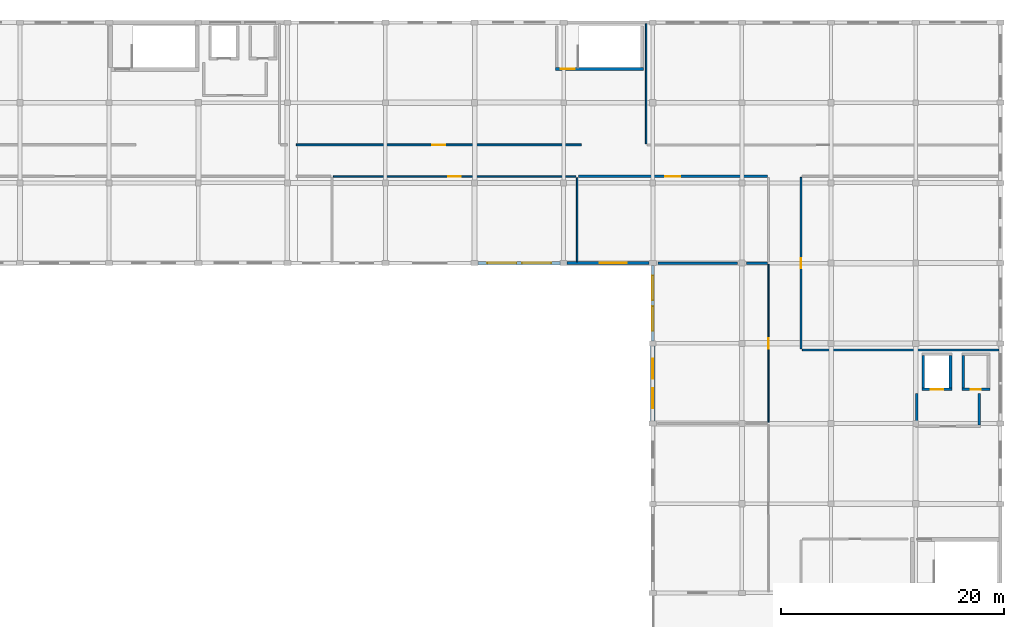
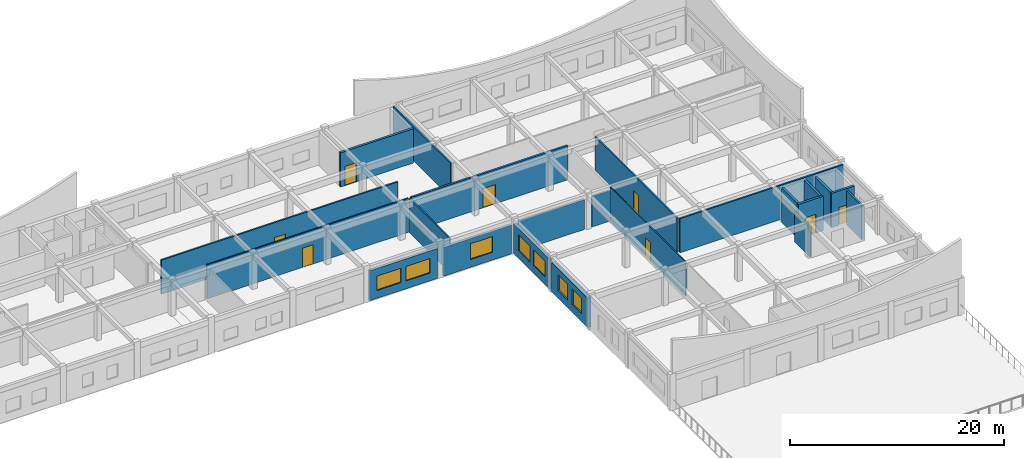
# One storey, part 6 of 10: 22 walls, 8 doors, 7 windows, 15 openings.
"""IFC4 building model written with IfcOpenShell, lengths in metres."""

import ifcopenshell
import ifcopenshell.guid

model = None  # the IFC model being written
_history = None  # IfcOwnerHistory: only IFC2X3 demands one
_inside = {}  # id of a spatial element -> (the spatial element, [elements in it])
_under = {}  # id of a project, library or spatial element -> (it, [spatial elements below it])
_declared = {}  # id of a project -> (the project, [libraries it declares])
_typed = {}  # id of a type object -> (the type object, [elements of that type])
_made_of = {}  # id of a material, layer set ... -> (it, [elements and type objects made of it])


def new_model(schema):
    """Start an empty IFC model of exactly this schema.

    Asked for "IFC4X3", IfcOpenShell would pick the latest addendum, in which some entities
    have other attributes; the version numbers below select the first issue.
    IFC2X3 requires an IfcOwnerHistory on every rooted entity: one is made here for all.
    """
    global model, _history
    if schema == "IFC4X3":
        model = ifcopenshell.file(schema_version=(4, 3, 0, 0))
    else:
        model = ifcopenshell.file(schema=schema)
    _inside.clear()
    _under.clear()
    _declared.clear()
    _typed.clear()
    _made_of.clear()
    _history = None
    if model.schema == "IFC2X3":
        org = make("IfcOrganization", Name="unknown")
        user = make(
            "IfcPersonAndOrganization",
            ThePerson=make("IfcPerson", FamilyName="unknown"),
            TheOrganization=org,
        )
        app = make(
            "IfcApplication",
            ApplicationDeveloper=org,
            Version="unknown",
            ApplicationFullName="unknown",
            ApplicationIdentifier="unknown",
        )
        _history = make(
            "IfcOwnerHistory",
            OwningUser=user,
            OwningApplication=app,
            ChangeAction="ADDED",
            CreationDate=0,
        )
    return model


def make(cls, **values):
    """One entity of the class cls with the attributes given. An attribute that is None is left unset."""
    return model.create_entity(
        cls, **{name: value for name, value in values.items() if value is not None}
    )


def rooted(cls, **values):
    """An entity with a GlobalId (a new one), such as an element, a storey or a relation."""
    return make(cls, GlobalId=ifcopenshell.guid.new(), OwnerHistory=_history, **values)


def si_unit(unit_type, name, prefix=None):
    """IfcSIUnit, for example si_unit("LENGTHUNIT", "METRE", prefix="MILLI")."""
    return make("IfcSIUnit", UnitType=unit_type, Prefix=prefix, Name=name)


def assignment(units):
    """IfcUnitAssignment: the units of a project."""
    return None if units is None else make("IfcUnitAssignment", Units=units)


def point(xyz):
    """IfcCartesianPoint."""
    return None if xyz is None else make("IfcCartesianPoint", Coordinates=xyz)


def direction(xyz):
    """IfcDirection."""
    return None if xyz is None else make("IfcDirection", DirectionRatios=xyz)


def frame(location, z_axis=None, x_axis=None):
    """IfcAxis2Placement3D, a coordinate frame: its origin and axes. An axis left out is left unset."""
    return make(
        "IfcAxis2Placement3D",
        Location=point(location),
        Axis=direction(z_axis),
        RefDirection=direction(x_axis),
    )


def frame_2d(location, x_axis=None):
    """IfcAxis2Placement2D, a coordinate frame in the plane: its origin and x axis."""
    return make(
        "IfcAxis2Placement2D", Location=point(location), RefDirection=direction(x_axis)
    )


def origin():
    """The frame at (0, 0, 0) with its axes left unset."""
    return frame((0.0, 0.0, 0.0))


def place(relative_to, where):
    """IfcLocalPlacement: puts the frame where relative to a parent placement (None: the world)."""
    return make(
        "IfcLocalPlacement", PlacementRelTo=relative_to, RelativePlacement=where
    )


def context(
    kind, dimensions, precision=None, world=None, true_north=None, identifier=None
):
    """IfcGeometricRepresentationContext, for example the 3D "Model" context."""
    return make(
        "IfcGeometricRepresentationContext",
        ContextIdentifier=identifier,
        ContextType=kind,
        CoordinateSpaceDimension=dimensions,
        Precision=precision,
        WorldCoordinateSystem=world,
        TrueNorth=true_north,
    )


def subcontext(parent, identifier, kind, view, scale=None):
    """IfcGeometricRepresentationSubContext, for example "Body" below "Model"."""
    return make(
        "IfcGeometricRepresentationSubContext",
        ContextIdentifier=identifier,
        ContextType=kind,
        ParentContext=parent,
        TargetScale=scale,
        TargetView=view,
    )


def project(units=None, contexts=None):
    """IfcProject with its units and contexts."""
    return rooted(
        "IfcProject",
        Name="project",
        RepresentationContexts=contexts,
        UnitsInContext=assignment(units),
    )


def spatial(cls, under=None, at=None, **own):
    """A site, building, storey or space (cls), placed at a placement, below another one or the project."""
    s = rooted(cls, ObjectPlacement=at, **own)
    if under is not None:
        _under.setdefault(under.id(), (under, []))[1].append(s)
    return s


def profile(cls, at=None, kind="AREA", **sizes):
    """A parametric profile (cls). Its sizes go by their IFC names, for example OverallWidth=200.0."""
    return make(cls, ProfileType=kind, Position=at, **sizes)


def rectangle(**sizes):
    """IfcRectangleProfileDef."""
    return profile("IfcRectangleProfileDef", **sizes)


def extrude(swept, where, along, depth):
    """IfcExtrudedAreaSolid: the profile swept, set in the frame where, extruded along a direction by depth."""
    return make(
        "IfcExtrudedAreaSolid",
        SweptArea=swept,
        Position=where,
        ExtrudedDirection=direction(along),
        Depth=depth,
    )


def shape(context_of_items, identifier, shape_type, items):
    """IfcShapeRepresentation: the items that make up one representation, for example the "Body"."""
    return make(
        "IfcShapeRepresentation",
        ContextOfItems=context_of_items,
        RepresentationIdentifier=identifier,
        RepresentationType=shape_type,
        Items=items,
    )


def material(Name=None, Category=None):
    """IfcMaterial."""
    return make("IfcMaterial", Name=Name, Category=Category)


def layer(
    of_material, thickness, ventilated=None, Name=None, Category=None, Priority=None
):
    """IfcMaterialLayer: one layer of a wall or slab, of a material (None: an air gap)."""
    return make(
        "IfcMaterialLayer",
        Material=of_material,
        LayerThickness=thickness,
        IsVentilated=ventilated,
        Name=Name,
        Category=Category,
        Priority=Priority,
    )


def layer_set(layers, Name=None):
    """IfcMaterialLayerSet."""
    return make("IfcMaterialLayerSet", MaterialLayers=layers, LayerSetName=Name)


def made_of(thing, what):
    """Note that an element or type object is made of a material, layer set ...; save() writes the relation."""
    if what is not None:
        _made_of.setdefault(what.id(), (what, []))[1].append(thing)
    return thing


def type_object(cls, material=None, **own):
    """A type object (cls), such as IfcWallType, which elements share."""
    return made_of(rooted(cls, **own), material)


def element(
    cls,
    number,
    at=None,
    inside=None,
    cuts=None,
    type_object=None,
    material=None,
    context=None,
    identifier="Body",
    shape_type=None,
    held_by="IfcProductDefinitionShape",
    body=None,
    shapes=None,
    **own,
):
    """One element of the class cls, such as IfcWall. Its Tag is "e" and its number.

    at: its placement. inside: the storey or other place that contains it. cuts: it is an
    opening in that element (IfcRelVoidsElement). A single representation is given by context,
    identifier, shape_type and body (its items); several are given by shapes. held_by: the class
    of the entity that holds the representations. save() writes the other relations.
    """
    e = rooted(cls, Tag="e%d" % number, ObjectPlacement=at, **own)
    if body is not None:
        shapes = [shape(context, identifier, shape_type, body)]
    if shapes is not None:
        e.Representation = make(held_by, Representations=shapes)
    if inside is not None:
        _inside.setdefault(inside.id(), (inside, []))[1].append(e)
    if cuts is not None:
        rooted(
            "IfcRelVoidsElement", RelatingBuildingElement=cuts, RelatedOpeningElement=e
        )
    if type_object is not None:
        _typed.setdefault(type_object.id(), (type_object, []))[1].append(e)
    return made_of(e, material)


def fill(opening, filler):
    """IfcRelFillsElement: the door or window that sits in an opening."""
    return rooted(
        "IfcRelFillsElement",
        RelatingOpeningElement=opening,
        RelatedBuildingElement=filler,
    )


def aggregate(whole, parts):
    """IfcRelAggregates: a whole, such as a stair, and the parts it consists of."""
    return rooted("IfcRelAggregates", RelatingObject=whole, RelatedObjects=parts)


def save(model, path):
    """Write the relations noted so far, then the file.

    IfcRelAggregates (storeys below a building ...), IfcRelContainedInSpatialStructure (elements
    in a storey), IfcRelDefinesByType, IfcRelAssociatesMaterial and IfcRelDeclares: one each for
    every whole, place, type object, material and project.
    """
    for whole, parts in _under.values():
        aggregate(whole, parts)
    for where, things in _inside.values():
        rooted(
            "IfcRelContainedInSpatialStructure",
            RelatedElements=things,
            RelatingStructure=where,
        )
    for kind, things in _typed.values():
        rooted("IfcRelDefinesByType", RelatedObjects=things, RelatingType=kind)
    for what, things in _made_of.values():
        rooted("IfcRelAssociatesMaterial", RelatedObjects=things, RelatingMaterial=what)
    for by, libraries in _declared.values():
        rooted("IfcRelDeclares", RelatingContext=by, RelatedDefinitions=libraries)
    model.write(path)


model = new_model("IFC4")

# Units and contexts
model_context = context("Model", 3, precision=1e-05, world=origin(), true_north=direction((0.0, 1.0)))
body_context = subcontext(model_context, "Body", "Model", "MODEL_VIEW")
ifc_project = project(units=[si_unit("LENGTHUNIT", "METRE"), si_unit("AREAUNIT", "SQUARE_METRE"), si_unit("VOLUMEUNIT", "CUBIC_METRE"), si_unit("PLANEANGLEUNIT", "RADIAN"), si_unit("MASSUNIT", "GRAM", prefix="KILO")], contexts=[model_context])

# Site, building, storey
site_placement = place(None, origin())
site = spatial("IfcSite", under=ifc_project, at=site_placement, CompositionType="ELEMENT")
building_placement = place(site_placement, origin())
building = spatial("IfcBuilding", under=site, at=building_placement, Name="Kharva Crest Polytechnic", CompositionType="ELEMENT")
storey_placement = place(building_placement, frame((0.0, 0.0, 25.800048828125)))
storey = spatial("IfcBuildingStorey", under=building, at=storey_placement, Name="L06", CompositionType="ELEMENT", Elevation=25.800048828125)

# Wall, openings, windows
ifc_material_1 = material(Name="Kiln brick masonry", Category="masonry")
ifc_layer_1 = layer(ifc_material_1, 0.260009765625, Name="Kiln brick masonry")
ifc_layer_set_1 = layer_set([ifc_layer_1], Name="Kiln brick masonry")
wall_type_1 = type_object("IfcWallType", Name="WL-EXT-BRK-260", PredefinedType="SOLIDWALL", material=ifc_layer_set_1)
wall_1_placement = place(storey_placement, frame((152.800048828125, 100.179931640625, 0.0), z_axis=(0.0, 0.0, 1.0), x_axis=(0.0, -1.0, 0.0)))
wall_1 = element("IfcWall", 1, at=wall_1_placement, inside=storey, type_object=wall_type_1, Name="L06 Exterior Brick Wall 498", PredefinedType="SOLIDWALL", context=body_context, shape_type="SweptSolid", body=[
    extrude(rectangle(XDim=6.760009765625, YDim=0.260009765625, at=frame_2d((3.3798828125, 0.0))), origin(), (0.0, 0.0, 1.0), 3.454833984375),
])
opening_1_placement = place(wall_1_placement, frame((0.89306640625, 0.0, 0.89990234375)))
opening_1 = element("IfcOpeningElement", 2, at=opening_1_placement, cuts=wall_1, Name="Opening W03", PredefinedType="OPENING", context=body_context, shape_type="SweptSolid", body=[
    extrude(rectangle(XDim=2.199951171875, YDim=1.800048828125, at=frame_2d((1.10009765625, 0.89990234375))), frame((0.0, 0.139892578125, 0.0), z_axis=(0.0, -1.0, 0.0), x_axis=(1.0, 0.0, 0.0)), (0.0, 0.0, 1.0), 0.280029296875),
])
opening_2_placement = place(wall_1_placement, frame((3.6669921875, 0.0, 0.89990234375)))
opening_2 = element("IfcOpeningElement", 3, at=opening_2_placement, cuts=wall_1, Name="Opening W03", PredefinedType="OPENING", context=body_context, shape_type="SweptSolid", body=[
    extrude(rectangle(XDim=2.199951171875, YDim=1.800048828125, at=frame_2d((1.10009765625, 0.89990234375))), frame((0.0, 0.139892578125, 0.0), z_axis=(0.0, -1.0, 0.0), x_axis=(1.0, 0.0, 0.0)), (0.0, 0.0, 1.0), 0.280029296875),
])
ifc_material_2 = material(Name="Anodised aluminium", Category="aluminium")
window_type_1 = type_object("IfcWindowType", Name="WIN-ALU-2200X1800", PartitioningType="SINGLE_PANEL", PredefinedType="WINDOW", material=ifc_material_2)
window_1_placement = place(opening_1_placement, origin())
window_1 = element("IfcWindow", 4, at=window_1_placement, inside=storey, type_object=window_type_1, Name="L06 Exterior Window 716", OverallHeight=1.800048828125, OverallWidth=2.199951171875, PartitioningType="SINGLE_PANEL", PredefinedType="WINDOW", context=body_context, shape_type="SweptSolid", body=[
    extrude(rectangle(XDim=2.199951171875, YDim=1.800048828125, at=frame_2d((1.10009765625, 0.89990234375))), frame((0.0, 0.030029296875, 0.0), z_axis=(0.0, -1.0, 0.0), x_axis=(1.0, 0.0, 0.0)), (0.0, 0.0, 1.0), 0.06005859375),
])
fill(opening_1, window_1)
window_2_placement = place(opening_2_placement, origin())
window_2 = element("IfcWindow", 5, at=window_2_placement, inside=storey, type_object=window_type_1, Name="L06 Exterior Window 717", OverallHeight=1.800048828125, OverallWidth=2.199951171875, PartitioningType="SINGLE_PANEL", PredefinedType="WINDOW", context=body_context, shape_type="SweptSolid", body=[
    extrude(rectangle(XDim=2.199951171875, YDim=1.800048828125, at=frame_2d((1.10009765625, 0.89990234375))), frame((0.0, 0.030029296875, 0.0), z_axis=(0.0, -1.0, 0.0), x_axis=(1.0, 0.0, 0.0)), (0.0, 0.0, 1.0), 0.06005859375),
])
fill(opening_2, window_2)

# Wall, opening, window
ifc_layer_2 = layer(ifc_material_1, 0.27490234375, Name="Kiln brick masonry")
ifc_layer_set_2 = layer_set([ifc_layer_2], Name="Kiln brick masonry")
wall_type_2 = type_object("IfcWallType", Name="WL-EXT-BRK-275", PredefinedType="SOLIDWALL", material=ifc_layer_set_2)
wall_2_placement = place(storey_placement, frame((145.10498046875, 100.39990234375, 0.0), z_axis=(0.0, 0.0, 1.0), x_axis=(1.0, 0.0, 0.0)))
wall_2 = element("IfcWall", 6, at=wall_2_placement, inside=storey, type_object=wall_type_2, Name="L06 Exterior Brick Wall 497", PredefinedType="SOLIDWALL", context=body_context, shape_type="SweptSolid", body=[
    extrude(rectangle(XDim=7.375, YDim=0.27490234375, at=frame_2d((3.6875, 0.0))), origin(), (0.0, 0.0, 1.0), 3.294921875),
])
opening_3_placement = place(wall_2_placement, frame((2.93505859375, 0.0, 0.89990234375)))
opening_3 = element("IfcOpeningElement", 7, at=opening_3_placement, cuts=wall_2, Name="Opening W02", PredefinedType="OPENING", context=body_context, shape_type="SweptSolid", body=[
    extrude(rectangle(XDim=2.39990234375, YDim=1.800048828125, at=frame_2d((1.199951171875, 0.89990234375))), frame((0.0, 0.1474609375, 0.0), z_axis=(0.0, -1.0, 0.0), x_axis=(1.0, 0.0, 0.0)), (0.0, 0.0, 1.0), 0.294921875),
])
window_type_2 = type_object("IfcWindowType", Name="WIN-ALU-2400X1800", PartitioningType="SINGLE_PANEL", PredefinedType="WINDOW", material=ifc_material_2)
window_3_placement = place(opening_3_placement, origin())
window_3 = element("IfcWindow", 8, at=window_3_placement, inside=storey, type_object=window_type_2, Name="L06 Exterior Window 715", OverallHeight=1.800048828125, OverallWidth=2.39990234375, PartitioningType="SINGLE_PANEL", PredefinedType="WINDOW", context=body_context, shape_type="SweptSolid", body=[
    extrude(rectangle(XDim=2.39990234375, YDim=1.800048828125, at=frame_2d((1.199951171875, 0.89990234375))), frame((0.0, 0.030029296875, 0.0), z_axis=(0.0, -1.0, 0.0), x_axis=(1.0, 0.0, 0.0)), (0.0, 0.0, 1.0), 0.06005859375),
])
fill(opening_3, window_3)

# Wall, openings, windows
ifc_layer_3 = layer(ifc_material_1, 0.2900390625, Name="Kiln brick masonry")
ifc_layer_set_3 = layer_set([ifc_layer_3], Name="Kiln brick masonry")
wall_type_3 = type_object("IfcWallType", Name="WL-EXT-BRK-290", PredefinedType="SOLIDWALL", material=ifc_layer_set_3)
wall_3_placement = place(storey_placement, frame((137.1201171875, 100.39990234375, 0.0), z_axis=(0.0, 0.0, 1.0), x_axis=(1.0, 0.0, 0.0)))
wall_3 = element("IfcWall", 9, at=wall_3_placement, inside=storey, type_object=wall_type_3, Name="L06 Exterior Brick Wall 496", PredefinedType="SOLIDWALL", context=body_context, shape_type="SweptSolid", body=[
    extrude(rectangle(XDim=7.375, YDim=0.2900390625, at=frame_2d((3.6875, 0.0))), origin(), (0.0, 0.0, 1.0), 3.425048828125),
])
opening_4_placement = place(wall_3_placement, frame((0.83203125, 0.0, 0.89990234375)))
opening_4 = element("IfcOpeningElement", 10, at=opening_4_placement, cuts=wall_3, Name="Opening W24", PredefinedType="OPENING", context=body_context, shape_type="SweptSolid", body=[
    extrude(rectangle(XDim=2.60009765625, YDim=1.64990234375, at=frame_2d((1.300048828125, 0.824951171875))), frame((0.0, 0.155029296875, 0.0), z_axis=(0.0, -1.0, 0.0), x_axis=(1.0, 0.0, 0.0)), (0.0, 0.0, 1.0), 0.31005859375),
])
opening_5_placement = place(wall_3_placement, frame((3.943115234375, 0.0, 0.89990234375)))
opening_5 = element("IfcOpeningElement", 11, at=opening_5_placement, cuts=wall_3, Name="Opening W24", PredefinedType="OPENING", context=body_context, shape_type="SweptSolid", body=[
    extrude(rectangle(XDim=2.60009765625, YDim=1.64990234375, at=frame_2d((1.300048828125, 0.824951171875))), frame((0.0, 0.155029296875, 0.0), z_axis=(0.0, -1.0, 0.0), x_axis=(1.0, 0.0, 0.0)), (0.0, 0.0, 1.0), 0.31005859375),
])
window_type_3 = type_object("IfcWindowType", Name="WIN-ALU-2600X1650", PartitioningType="SINGLE_PANEL", PredefinedType="WINDOW", material=ifc_material_2)
window_4_placement = place(opening_4_placement, origin())
window_4 = element("IfcWindow", 12, at=window_4_placement, inside=storey, type_object=window_type_3, Name="L06 Exterior Window 713", OverallHeight=1.64990234375, OverallWidth=2.60009765625, PartitioningType="SINGLE_PANEL", PredefinedType="WINDOW", context=body_context, shape_type="SweptSolid", body=[
    extrude(rectangle(XDim=2.60009765625, YDim=1.64990234375, at=frame_2d((1.300048828125, 0.824951171875))), frame((0.0, 0.030029296875, 0.0), z_axis=(0.0, -1.0, 0.0), x_axis=(1.0, 0.0, 0.0)), (0.0, 0.0, 1.0), 0.06005859375),
])
fill(opening_4, window_4)
window_5_placement = place(opening_5_placement, origin())
window_5 = element("IfcWindow", 13, at=window_5_placement, inside=storey, type_object=window_type_3, Name="L06 Exterior Window 714", OverallHeight=1.64990234375, OverallWidth=2.60009765625, PartitioningType="SINGLE_PANEL", PredefinedType="WINDOW", context=body_context, shape_type="SweptSolid", body=[
    extrude(rectangle(XDim=2.60009765625, YDim=1.64990234375, at=frame_2d((1.300048828125, 0.824951171875))), frame((0.0, 0.030029296875, 0.0), z_axis=(0.0, -1.0, 0.0), x_axis=(1.0, 0.0, 0.0)), (0.0, 0.0, 1.0), 0.06005859375),
])
fill(opening_5, window_5)

ifc_layer_4 = layer(ifc_material_1, 0.3798828125, Name="Kiln brick masonry")
ifc_layer_set_4 = layer_set([ifc_layer_4], Name="Kiln brick masonry")
wall_type_4 = type_object("IfcWallType", Name="WL-EXT-BRK-380", PredefinedType="SOLIDWALL", material=ifc_layer_set_4)
wall_4_placement = place(storey_placement, frame((152.800048828125, 92.97998046875, 0.0), z_axis=(0.0, 0.0, 1.0), x_axis=(0.0, -1.0, 0.0)))
wall_4 = element("IfcWall", 14, at=wall_4_placement, inside=storey, type_object=wall_type_4, Name="L06 Exterior Brick Wall 499", PredefinedType="SOLIDWALL", context=body_context, shape_type="SweptSolid", body=[
    extrude(rectangle(XDim=6.760009765625, YDim=0.3798828125, at=frame_2d((3.3798828125, 0.0))), origin(), (0.0, 0.0, 1.0), 3.39501953125),
])
opening_6_placement = place(wall_4_placement, frame((1.159912109375, 0.0, 0.89990234375)))
opening_6 = element("IfcOpeningElement", 15, at=opening_6_placement, cuts=wall_4, Name="Opening W05", PredefinedType="OPENING", context=body_context, shape_type="SweptSolid", body=[
    extrude(rectangle(XDim=1.800048828125, YDim=1.800048828125, at=frame_2d((0.89990234375, 0.89990234375))), frame((0.0, 0.199951171875, 0.0), z_axis=(0.0, -1.0, 0.0), x_axis=(1.0, 0.0, 0.0)), (0.0, 0.0, 1.0), 0.39990234375),
])
opening_7_placement = place(wall_4_placement, frame((3.800048828125, 0.0, 0.89990234375)))
opening_7 = element("IfcOpeningElement", 16, at=opening_7_placement, cuts=wall_4, Name="Opening W05", PredefinedType="OPENING", context=body_context, shape_type="SweptSolid", body=[
    extrude(rectangle(XDim=1.800048828125, YDim=1.800048828125, at=frame_2d((0.89990234375, 0.89990234375))), frame((0.0, 0.199951171875, 0.0), z_axis=(0.0, -1.0, 0.0), x_axis=(1.0, 0.0, 0.0)), (0.0, 0.0, 1.0), 0.39990234375),
])
window_type_4 = type_object("IfcWindowType", Name="WIN-ALU-1800X1800", PartitioningType="SINGLE_PANEL", PredefinedType="WINDOW", material=ifc_material_2)
window_6_placement = place(opening_6_placement, origin())
window_6 = element("IfcWindow", 17, at=window_6_placement, inside=storey, type_object=window_type_4, Name="L06 Exterior Window 718", OverallHeight=1.800048828125, OverallWidth=1.800048828125, PartitioningType="SINGLE_PANEL", PredefinedType="WINDOW", context=body_context, shape_type="SweptSolid", body=[
    extrude(rectangle(XDim=1.800048828125, YDim=1.800048828125, at=frame_2d((0.89990234375, 0.89990234375))), frame((0.0, 0.030029296875, 0.0), z_axis=(0.0, -1.0, 0.0), x_axis=(1.0, 0.0, 0.0)), (0.0, 0.0, 1.0), 0.06005859375),
])
fill(opening_6, window_6)
window_7_placement = place(opening_7_placement, origin())
window_7 = element("IfcWindow", 18, at=window_7_placement, inside=storey, type_object=window_type_4, Name="L06 Exterior Window 719", OverallHeight=1.800048828125, OverallWidth=1.800048828125, PartitioningType="SINGLE_PANEL", PredefinedType="WINDOW", context=body_context, shape_type="SweptSolid", body=[
    extrude(rectangle(XDim=1.800048828125, YDim=1.800048828125, at=frame_2d((0.89990234375, 0.89990234375))), frame((0.0, 0.030029296875, 0.0), z_axis=(0.0, -1.0, 0.0), x_axis=(1.0, 0.0, 0.0)), (0.0, 0.0, 1.0), 0.06005859375),
])
fill(opening_7, window_7)

# Walls
ifc_layer_5 = layer(ifc_material_1, 0.199951171875, Name="Kiln brick masonry")
ifc_layer_set_5 = layer_set([ifc_layer_5], Name="Kiln brick masonry")
wall_type_5 = type_object("IfcWallType", Name="WL-FIRE-FW1-200", PredefinedType="SOLIDWALL", material=ifc_layer_set_5)
wall_5_placement = place(storey_placement, frame((176.5, 85.85009765625, 0.0), z_axis=(0.0, 0.0, 1.0), x_axis=(0.0, 1.0, 0.0)))
element("IfcWall", 19, at=wall_5_placement, inside=storey, type_object=wall_type_5, Name="L06 Firefighting Lobby FL2 West Wall", PredefinedType="SOLIDWALL", context=body_context, shape_type="SweptSolid", body=[
    extrude(rectangle(XDim=2.849853515625, YDim=0.199951171875, at=frame_2d((1.4248046875, 0.0))), origin(), (0.0, 0.0, 1.0), 3.35498046875),
])
wall_6_placement = place(storey_placement, frame((182.10009765625, 85.85009765625, 0.0), z_axis=(0.0, 0.0, 1.0), x_axis=(0.0, 1.0, 0.0)))
element("IfcWall", 20, at=wall_6_placement, inside=storey, type_object=wall_type_5, Name="L06 Firefighting Lobby FL2 East Wall", PredefinedType="SOLIDWALL", context=body_context, shape_type="SweptSolid", body=[
    extrude(rectangle(XDim=2.849853515625, YDim=0.199951171875, at=frame_2d((1.4248046875, 0.0))), origin(), (0.0, 0.0, 1.0), 3.919921875),
])

# Wall, opening, door
ifc_layer_6 = layer(ifc_material_1, 0.10009765625, Name="Kiln brick masonry")
ifc_layer_set_6 = layer_set([ifc_layer_6], Name="Kiln brick masonry")
wall_type_6 = type_object("IfcWallType", Name="WL-PART-100", PredefinedType="PARTITIONING", material=ifc_layer_set_6)
wall_7_placement = place(storey_placement, frame((163.18994140625, 86.1201171875, 0.0), z_axis=(0.0, 0.0, 1.0), x_axis=(0.0, 1.0, 0.0)))
wall_7 = element("IfcWall", 21, at=wall_7_placement, inside=storey, type_object=wall_type_6, Name="L06 Interior Partition 408", PredefinedType="PARTITIONING", context=body_context, shape_type="SweptSolid", body=[
    extrude(rectangle(XDim=14.159912109375, YDim=0.10009765625, at=frame_2d((7.080078125, 0.0))), origin(), (0.0, 0.0, 1.0), 3.89990234375),
])
opening_8_placement = place(wall_7_placement, frame((6.60009765625, 0.0, 0.0)))
opening_8 = element("IfcOpeningElement", 22, at=opening_8_placement, cuts=wall_7, Name="Opening ID13", PredefinedType="OPENING", context=body_context, shape_type="SweptSolid", body=[
    extrude(rectangle(XDim=0.9599609375, YDim=2.14990234375, at=frame_2d((0.47998046875, 1.074951171875))), frame((0.0, 0.06005859375, 0.0), z_axis=(0.0, -1.0, 0.0), x_axis=(1.0, 0.0, 0.0)), (0.0, 0.0, 1.0), 0.1201171875),
])
ifc_material_3 = material(Name="Teak timber", Category="wood")
door_type_1 = type_object("IfcDoorType", Name="DR-OFF-960X2150", OperationType="NOTDEFINED", PredefinedType="DOOR", material=ifc_material_3)
door_1_placement = place(opening_8_placement, origin())
door_1 = element("IfcDoor", 23, at=door_1_placement, inside=storey, type_object=door_type_1, Name="L06 Visiting Faculty Office L06 Door", OperationType="SINGLE_SWING_RIGHT", OverallHeight=2.14990234375, OverallWidth=0.9599609375, PredefinedType="DOOR", context=body_context, shape_type="SweptSolid", body=[
    extrude(rectangle(XDim=0.9599609375, YDim=2.14990234375, at=frame_2d((0.47998046875, 1.074951171875))), frame((0.0, 0.02490234375, 0.0), z_axis=(0.0, -1.0, 0.0), x_axis=(1.0, 0.0, 0.0)), (0.0, 0.0, 1.0), 0.050048828125),
])
fill(opening_8, door_1)

# Wall
ifc_layer_7 = layer(ifc_material_1, 0.1298828125, Name="Kiln brick masonry")
ifc_layer_set_7 = layer_set([ifc_layer_7], Name="Kiln brick masonry")
wall_type_7 = type_object("IfcWallType", Name="WL-PART-130", PredefinedType="PARTITIONING", material=ifc_layer_set_7)
wall_8_placement = place(storey_placement, frame((146.0, 100.510009765625, 0.0), z_axis=(0.0, 0.0, 1.0), x_axis=(0.0, 1.0, 0.0)))
element("IfcWall", 24, at=wall_8_placement, inside=storey, type_object=wall_type_7, Name="L06 Interior Partition 395", PredefinedType="PARTITIONING", context=body_context, shape_type="SweptSolid", body=[
    extrude(rectangle(XDim=7.570068359375, YDim=0.1298828125, at=frame_2d((3.78515625, 0.0))), origin(), (0.0, 0.0, 1.0), 3.89990234375),
])

# Wall, opening, door
ifc_layer_8 = layer(ifc_material_1, 0.139892578125, Name="Kiln brick masonry")
ifc_layer_set_8 = layer_set([ifc_layer_8], Name="Kiln brick masonry")
wall_type_8 = type_object("IfcWallType", Name="WL-PART-140", PredefinedType="PARTITIONING", material=ifc_layer_set_8)
wall_9_placement = place(storey_placement, frame((124.1201171875, 108.18994140625, 0.0), z_axis=(0.0, 0.0, 1.0), x_axis=(1.0, 0.0, 0.0)))
wall_9 = element("IfcWall", 25, at=wall_9_placement, inside=storey, type_object=wall_type_8, Name="L06 Interior Partition 394", PredefinedType="PARTITIONING", context=body_context, shape_type="SweptSolid", body=[
    extrude(rectangle(XDim=21.769775390625, YDim=0.139892578125, at=frame_2d((10.884765625, 0.0))), origin(), (0.0, 0.0, 1.0), 3.89990234375),
])
opening_9_placement = place(wall_9_placement, frame((10.324951171875, 0.0, 0.0)))
opening_9 = element("IfcOpeningElement", 26, at=opening_9_placement, cuts=wall_9, Name="Opening ID9", PredefinedType="OPENING", context=body_context, shape_type="SweptSolid", body=[
    extrude(rectangle(XDim=1.1201171875, YDim=2.199951171875, at=frame_2d((0.56005859375, 1.10009765625))), frame((0.0, 0.079833984375, 0.0), z_axis=(0.0, -1.0, 0.0), x_axis=(1.0, 0.0, 0.0)), (0.0, 0.0, 1.0), 0.159912109375),
])
door_type_2 = type_object("IfcDoorType", Name="DR-STD-1120X2200", OperationType="NOTDEFINED", PredefinedType="DOOR", material=ifc_material_3)
door_2_placement = place(opening_9_placement, origin())
door_2 = element("IfcDoor", 27, at=door_2_placement, inside=storey, type_object=door_type_2, Name="L06 Crest Design Studio West Door", OperationType="SINGLE_SWING_RIGHT", OverallHeight=2.199951171875, OverallWidth=1.1201171875, PredefinedType="DOOR", context=body_context, shape_type="SweptSolid", body=[
    extrude(rectangle(XDim=1.1201171875, YDim=2.199951171875, at=frame_2d((0.56005859375, 1.10009765625))), frame((0.0, 0.02490234375, 0.0), z_axis=(0.0, -1.0, 0.0), x_axis=(1.0, 0.0, 0.0)), (0.0, 0.0, 1.0), 0.050048828125),
])
fill(opening_9, door_2)

# Wall
wall_10_placement = place(storey_placement, frame((152.199951171875, 111.110107421875, 0.0), z_axis=(0.0, 0.0, 1.0), x_axis=(0.0, 1.0, 0.0)))
element("IfcWall", 28, at=wall_10_placement, inside=storey, type_object=wall_type_8, Name="L06 Interior Partition 404", PredefinedType="PARTITIONING", context=body_context, shape_type="SweptSolid", body=[
    extrude(rectangle(XDim=10.77978515625, YDim=0.139892578125, at=frame_2d((5.389892578125, 0.0))), origin(), (0.0, 0.0, 1.0), 3.89990234375),
])

# Wall, opening, door
ifc_layer_9 = layer(ifc_material_1, 0.14990234375, Name="Kiln brick masonry")
ifc_layer_set_9 = layer_set([ifc_layer_9], Name="Kiln brick masonry")
wall_type_9 = type_object("IfcWallType", Name="WL-PART-150", PredefinedType="PARTITIONING", material=ifc_layer_set_9)
wall_11_placement = place(storey_placement, frame((166.110107421875, 92.7099609375, 0.0), z_axis=(0.0, 0.0, 1.0), x_axis=(0.0, 1.0, 0.0)))
wall_11 = element("IfcWall", 29, at=wall_11_placement, inside=storey, type_object=wall_type_9, Name="L06 Interior Partition 413", PredefinedType="PARTITIONING", context=body_context, shape_type="SweptSolid", body=[
    extrude(rectangle(XDim=15.380126953125, YDim=0.14990234375, at=frame_2d((7.68994140625, 0.0))), origin(), (0.0, 0.0, 1.0), 3.89990234375),
])
opening_10_placement = place(wall_11_placement, frame((7.235107421875, 0.0, 0.0)))
opening_10 = element("IfcOpeningElement", 30, at=opening_10_placement, cuts=wall_11, Name="Opening ID15", PredefinedType="OPENING", context=body_context, shape_type="SweptSolid", body=[
    extrude(rectangle(XDim=0.909912109375, YDim=2.10009765625, at=frame_2d((0.455078125, 1.050048828125))), frame((0.0, 0.0849609375, 0.0), z_axis=(0.0, -1.0, 0.0), x_axis=(1.0, 0.0, 0.0)), (0.0, 0.0, 1.0), 0.169921875),
])
door_type_3 = type_object("IfcDoorType", Name="DR-WC-910X2100", OperationType="NOTDEFINED", PredefinedType="DOOR", material=ifc_material_3)
door_3_placement = place(opening_10_placement, origin())
door_3 = element("IfcDoor", 31, at=door_3_placement, inside=storey, type_object=door_type_3, Name="L06 Male Female and Accessible Washrooms L06 Door", OperationType="SINGLE_SWING_RIGHT", OverallHeight=2.10009765625, OverallWidth=0.909912109375, PredefinedType="DOOR", context=body_context, shape_type="SweptSolid", body=[
    extrude(rectangle(XDim=0.909912109375, YDim=2.10009765625, at=frame_2d((0.455078125, 1.050048828125))), frame((0.0, 0.02490234375, 0.0), z_axis=(0.0, -1.0, 0.0), x_axis=(1.0, 0.0, 0.0)), (0.0, 0.0, 1.0), 0.050048828125),
])
fill(opening_10, door_3)

ifc_layer_10 = layer(ifc_material_1, 0.169921875, Name="Kiln brick masonry")
ifc_layer_set_10 = layer_set([ifc_layer_10], Name="Kiln brick masonry")
wall_type_10 = type_object("IfcWallType", Name="WL-PART-170", PredefinedType="PARTITIONING", material=ifc_layer_set_10)
wall_12_placement = place(storey_placement, frame((120.800048828125, 111.010009765625, 0.0), z_axis=(0.0, 0.0, 1.0), x_axis=(1.0, 0.0, 0.0)))
wall_12 = element("IfcWall", 32, at=wall_12_placement, inside=storey, type_object=wall_type_10, Name="L06 Interior Partition 401 E", PredefinedType="PARTITIONING", context=body_context, shape_type="SweptSolid", body=[
    extrude(rectangle(XDim=25.579833984375, YDim=0.169921875, at=frame_2d((12.7900390625, 0.0))), origin(), (0.0, 0.0, 1.0), 3.89990234375),
])
opening_11_placement = place(wall_12_placement, frame((12.199951171875, 0.0, 0.0)))
opening_11 = element("IfcOpeningElement", 33, at=opening_11_placement, cuts=wall_12, Name="Opening ID8", PredefinedType="OPENING", context=body_context, shape_type="SweptSolid", body=[
    extrude(rectangle(XDim=1.179931640625, YDim=2.199951171875, at=frame_2d((0.58984375, 1.10009765625))), frame((0.0, 0.094970703125, 0.0), z_axis=(0.0, -1.0, 0.0), x_axis=(1.0, 0.0, 0.0)), (0.0, 0.0, 1.0), 0.18994140625),
])
door_type_4 = type_object("IfcDoorType", Name="DR-STD-1180X2200", OperationType="NOTDEFINED", PredefinedType="DOOR", material=ifc_material_3)
door_4_placement = place(opening_11_placement, origin())
door_4 = element("IfcDoor", 34, at=door_4_placement, inside=storey, type_object=door_type_4, Name="L06 Master Thesis Design Studio North Door", OperationType="SINGLE_SWING_LEFT", OverallHeight=2.199951171875, OverallWidth=1.179931640625, PredefinedType="DOOR", context=body_context, shape_type="SweptSolid", body=[
    extrude(rectangle(XDim=1.179931640625, YDim=2.199951171875, at=frame_2d((0.58984375, 1.10009765625))), frame((0.0, 0.02490234375, 0.0), z_axis=(0.0, -1.0, 0.0), x_axis=(1.0, 0.0, 0.0)), (0.0, 0.0, 1.0), 0.050048828125),
])
fill(opening_11, door_4)

# Wall
wall_13_placement = place(storey_placement, frame((166.219970703125, 92.60009765625, 0.0), z_axis=(0.0, 0.0, 1.0), x_axis=(1.0, 0.0, 0.0)))
element("IfcWall", 35, at=wall_13_placement, inside=storey, type_object=wall_type_10, Name="L06 Interior Partition 411", PredefinedType="PARTITIONING", context=body_context, shape_type="SweptSolid", body=[
    extrude(rectangle(XDim=17.669921875, YDim=0.169921875, at=frame_2d((8.8349609375, 0.0))), origin(), (0.0, 0.0, 1.0), 3.89990234375),
])

# Wall, opening, door
ifc_layer_11 = layer(ifc_material_1, 0.205078125, Name="Kiln brick masonry")
ifc_layer_set_11 = layer_set([ifc_layer_11], Name="Kiln brick masonry")
wall_type_11 = type_object("IfcWallType", Name="WL-PART-205", PredefinedType="PARTITIONING", material=ifc_layer_set_11)
wall_14_placement = place(storey_placement, frame((146.1201171875, 108.18994140625, 0.0), z_axis=(0.0, 0.0, 1.0), x_axis=(1.0, 0.0, 0.0)))
wall_14 = element("IfcWall", 36, at=wall_14_placement, inside=storey, type_object=wall_type_11, Name="L06 Interior Partition 398", PredefinedType="PARTITIONING", context=body_context, shape_type="SweptSolid", body=[
    extrude(rectangle(XDim=16.9599609375, YDim=0.205078125, at=frame_2d((8.47998046875, 0.0))), origin(), (0.0, 0.0, 1.0), 3.89990234375),
])
opening_12_placement = place(wall_14_placement, frame((7.804931640625, 0.0, 0.0)))
opening_12 = element("IfcOpeningElement", 37, at=opening_12_placement, cuts=wall_14, Name="Opening ID6", PredefinedType="OPENING", context=body_context, shape_type="SweptSolid", body=[
    extrude(rectangle(XDim=1.35009765625, YDim=2.199951171875, at=frame_2d((0.675048828125, 1.10009765625))), frame((0.0, 0.112548828125, 0.0), z_axis=(0.0, -1.0, 0.0), x_axis=(1.0, 0.0, 0.0)), (0.0, 0.0, 1.0), 0.22509765625),
])
door_type_5 = type_object("IfcDoorType", Name="DR-LAB-1350X2200", OperationType="NOTDEFINED", PredefinedType="DOOR", material=ifc_material_3)
door_5_placement = place(opening_12_placement, origin())
door_5 = element("IfcDoor", 38, at=door_5_placement, inside=storey, type_object=door_type_5, Name="L06 Ceramics Glaze and Silicate Laboratory Door", OperationType="SINGLE_SWING_LEFT", OverallHeight=2.199951171875, OverallWidth=1.35009765625, PredefinedType="DOOR", context=body_context, shape_type="SweptSolid", body=[
    extrude(rectangle(XDim=1.35009765625, YDim=2.199951171875, at=frame_2d((0.675048828125, 1.10009765625))), frame((0.0, 0.02490234375, 0.0), z_axis=(0.0, -1.0, 0.0), x_axis=(1.0, 0.0, 0.0)), (0.0, 0.0, 1.0), 0.050048828125),
])
fill(opening_12, door_5)

# Walls
ifc_layer_12 = layer(ifc_material_1, 0.215087890625, Name="Kiln brick masonry")
ifc_layer_set_12 = layer_set([ifc_layer_12], Name="Kiln brick masonry")
wall_type_12 = type_object("IfcWallType", Name="WL-PART-215", PredefinedType="PARTITIONING", material=ifc_layer_set_12)
wall_15_placement = place(storey_placement, frame((161.18994140625, 100.39990234375, 0.0), z_axis=(0.0, 0.0, 1.0), x_axis=(1.0, 0.0, 0.0)))
element("IfcWall", 39, at=wall_15_placement, inside=storey, type_object=wall_type_12, Name="L06 Interior Partition 397", PredefinedType="PARTITIONING", context=body_context, shape_type="SweptSolid", body=[
    extrude(rectangle(XDim=1.89013671875, YDim=0.215087890625, at=frame_2d((0.945068359375, 0.0))), origin(), (0.0, 0.0, 1.0), 3.474853515625),
])
ifc_layer_13 = layer(ifc_material_1, 0.22509765625, Name="Kiln brick masonry")
ifc_layer_set_13 = layer_set([ifc_layer_13], Name="Kiln brick masonry")
wall_type_13 = type_object("IfcWallType", Name="WL-PART-225", PredefinedType="PARTITIONING", material=ifc_layer_set_13)
wall_16_placement = place(storey_placement, frame((153.2548828125, 100.39990234375, 0.0), z_axis=(0.0, 0.0, 1.0), x_axis=(1.0, 0.0, 0.0)))
element("IfcWall", 40, at=wall_16_placement, inside=storey, type_object=wall_type_13, Name="L06 Interior Partition 396", PredefinedType="PARTITIONING", context=body_context, shape_type="SweptSolid", body=[
    extrude(rectangle(XDim=7.155029296875, YDim=0.22509765625, at=frame_2d((3.57763671875, 0.0))), origin(), (0.0, 0.0, 1.0), 3.425048828125),
])

# Wall, opening, door
ifc_material_4 = material(Name="Concrete C40/50", Category="concrete")
ifc_layer_14 = layer(ifc_material_4, 0.25, Name="Concrete C40/50")
ifc_layer_set_14 = layer_set([ifc_layer_14], Name="Concrete C40/50")
wall_type_14 = type_object("IfcWallType", Name="WL-SHEAR-SW1-250", PredefinedType="SHEAR", material=ifc_layer_set_14)
wall_17_placement = place(storey_placement, frame((176.949951171875, 89.074951171875, 0.0), z_axis=(0.0, 0.0, 1.0), x_axis=(1.0, 0.0, 0.0)))
wall_17 = element("IfcWall", 41, at=wall_17_placement, inside=storey, type_object=wall_type_14, Name="L06 Lift FL2 South Shaft Wall", PredefinedType="SHEAR", context=body_context, shape_type="SweptSolid", body=[
    extrude(rectangle(XDim=2.699951171875, YDim=0.25, at=frame_2d((1.35009765625, 0.0))), origin(), (0.0, 0.0, 1.0), 3.919921875),
])
opening_13_placement = place(wall_17_placement, frame((0.800048828125, 0.0, 0.0)))
opening_13 = element("IfcOpeningElement", 42, at=opening_13_placement, cuts=wall_17, Name="Opening LD1", PredefinedType="OPENING", context=body_context, shape_type="SweptSolid", body=[
    extrude(rectangle(XDim=1.10009765625, YDim=2.14990234375, at=frame_2d((0.550048828125, 1.074951171875))), frame((0.0, 0.135009765625, 0.0), z_axis=(0.0, -1.0, 0.0), x_axis=(1.0, 0.0, 0.0)), (0.0, 0.0, 1.0), 0.27001953125),
])
door_type_6 = type_object("IfcDoorType", Name="DR-LIFT-LD1-1100X2150", OperationType="SLIDING_TO_LEFT", PredefinedType="DOOR", material=ifc_material_2)
door_6_placement = place(opening_13_placement, origin())
door_6 = element("IfcDoor", 43, at=door_6_placement, inside=storey, type_object=door_type_6, Name="L06 Lift FL2 Sliding Landing Door", OperationType="SLIDING_TO_LEFT", OverallHeight=2.14990234375, OverallWidth=1.10009765625, PredefinedType="DOOR", context=body_context, shape_type="SweptSolid", body=[
    extrude(rectangle(XDim=1.10009765625, YDim=2.14990234375, at=frame_2d((0.550048828125, 1.074951171875))), frame((0.0, 0.02490234375, 0.0), z_axis=(0.0, -1.0, 0.0), x_axis=(1.0, 0.0, 0.0)), (0.0, 0.0, 1.0), 0.050048828125),
])
fill(opening_13, door_6)

# Walls
for number, where, z_axis, x_axis, name in (
    (44, (177.074951171875, 89.199951171875, 0.0), (0.0, 0.0, 1.0), (0.0, 1.0, 0.0), "L06 Lift FL2 West Shaft Wall"),
    (45, (179.52490234375, 89.199951171875, 0.0), (0.0, 0.0, 1.0), (0.0, 1.0, 0.0), "L06 Lift FL2 East Shaft Wall"),
):
    element("IfcWall", number, at=place(storey_placement, frame(where, z_axis=z_axis, x_axis=x_axis)), inside=storey, type_object=wall_type_14, Name=name, PredefinedType="SHEAR", context=body_context, shape_type="SweptSolid", body=[
        extrude(rectangle(XDim=2.900146484375, YDim=0.25, at=frame_2d((1.4501953125, 0.0))), origin(), (0.0, 0.0, 1.0), 3.919921875),
    ])

# Wall, opening, door
wall_18_placement = place(storey_placement, frame((180.550048828125, 89.074951171875, 0.0), z_axis=(0.0, 0.0, 1.0), x_axis=(1.0, 0.0, 0.0)))
wall_18 = element("IfcWall", 46, at=wall_18_placement, inside=storey, type_object=wall_type_14, Name="L06 Core C5 Riser South Wall", PredefinedType="SHEAR", context=body_context, shape_type="SweptSolid", body=[
    extrude(rectangle(XDim=2.5, YDim=0.25, at=frame_2d((1.25, 0.0))), origin(), (0.0, 0.0, 1.0), 3.919921875),
])
opening_14_placement = place(wall_18_placement, frame((0.800048828125, 0.0, 0.0)))
opening_14 = element("IfcOpeningElement", 47, at=opening_14_placement, cuts=wall_18, Name="Opening FD3", PredefinedType="OPENING", context=body_context, shape_type="SweptSolid", body=[
    extrude(rectangle(XDim=0.89990234375, YDim=2.050048828125, at=frame_2d((0.449951171875, 1.02490234375))), frame((0.0, 0.135009765625, 0.0), z_axis=(0.0, -1.0, 0.0), x_axis=(1.0, 0.0, 0.0)), (0.0, 0.0, 1.0), 0.27001953125),
])
door_type_7 = type_object("IfcDoorType", Name="DR-RISER-900X2050", OperationType="NOTDEFINED", PredefinedType="DOOR", material=ifc_material_2)
door_7_placement = place(opening_14_placement, origin())
door_7 = element("IfcDoor", 48, at=door_7_placement, inside=storey, type_object=door_type_7, Name="L06 Core C5 Riser Access Door", OperationType="SINGLE_SWING_RIGHT", OverallHeight=2.050048828125, OverallWidth=0.89990234375, PredefinedType="DOOR", context=body_context, shape_type="SweptSolid", body=[
    extrude(rectangle(XDim=0.89990234375, YDim=2.050048828125, at=frame_2d((0.449951171875, 1.02490234375))), frame((0.0, 0.02490234375, 0.0), z_axis=(0.0, -1.0, 0.0), x_axis=(1.0, 0.0, 0.0)), (0.0, 0.0, 1.0), 0.050048828125),
])
fill(opening_14, door_7)

# Wall
wall_19_placement = place(storey_placement, frame((180.675048828125, 89.199951171875, 0.0), z_axis=(0.0, 0.0, 1.0), x_axis=(0.0, 1.0, 0.0)))
element("IfcWall", 49, at=wall_19_placement, inside=storey, type_object=wall_type_14, Name="L06 Core C5 Riser West Wall", PredefinedType="SHEAR", context=body_context, shape_type="SweptSolid", body=[
    extrude(rectangle(XDim=2.900146484375, YDim=0.25, at=frame_2d((1.4501953125, 0.0))), origin(), (0.0, 0.0, 1.0), 3.919921875),
])

# Wall, opening, door
wall_20_placement = place(storey_placement, frame((144.050048828125, 117.81494140625, 0.0), z_axis=(0.0, 0.0, 1.0), x_axis=(1.0, 0.0, 0.0)))
wall_20 = element("IfcWall", 50, at=wall_20_placement, inside=storey, type_object=wall_type_14, Name="L06 North-East Library Wing Stair C9 South Shear Wall", PredefinedType="SHEAR", context=body_context, shape_type="SweptSolid", body=[
    extrude(rectangle(XDim=7.89990234375, YDim=0.25, at=frame_2d((3.949951171875, 0.0))), origin(), (0.0, 0.0, 1.0), 3.919921875),
])
opening_15_placement = place(wall_20_placement, frame((0.5, 0.0, 0.0)))
opening_15 = element("IfcOpeningElement", 51, at=opening_15_placement, cuts=wall_20, Name="Opening FD1B", PredefinedType="OPENING", context=body_context, shape_type="SweptSolid", body=[
    extrude(rectangle(XDim=1.25, YDim=2.199951171875, at=frame_2d((0.625, 1.10009765625))), frame((0.0, 0.135009765625, 0.0), z_axis=(0.0, -1.0, 0.0), x_axis=(1.0, 0.0, 0.0)), (0.0, 0.0, 1.0), 0.27001953125),
])
door_type_8 = type_object("IfcDoorType", Name="DR-STAIR-1250X2200", OperationType="NOTDEFINED", PredefinedType="DOOR", material=ifc_material_3)
door_8_placement = place(opening_15_placement, origin())
door_8 = element("IfcDoor", 52, at=door_8_placement, inside=storey, type_object=door_type_8, Name="L06 ST-09 Stair Door", OperationType="SINGLE_SWING_RIGHT", OverallHeight=2.199951171875, OverallWidth=1.25, PredefinedType="DOOR", context=body_context, shape_type="SweptSolid", body=[
    extrude(rectangle(XDim=1.25, YDim=2.199951171875, at=frame_2d((0.625, 1.10009765625))), frame((0.0, 0.02490234375, 0.0), z_axis=(0.0, -1.0, 0.0), x_axis=(1.0, 0.0, 0.0)), (0.0, 0.0, 1.0), 0.050048828125),
])
fill(opening_15, door_8)

save(model, "model.ifc")
